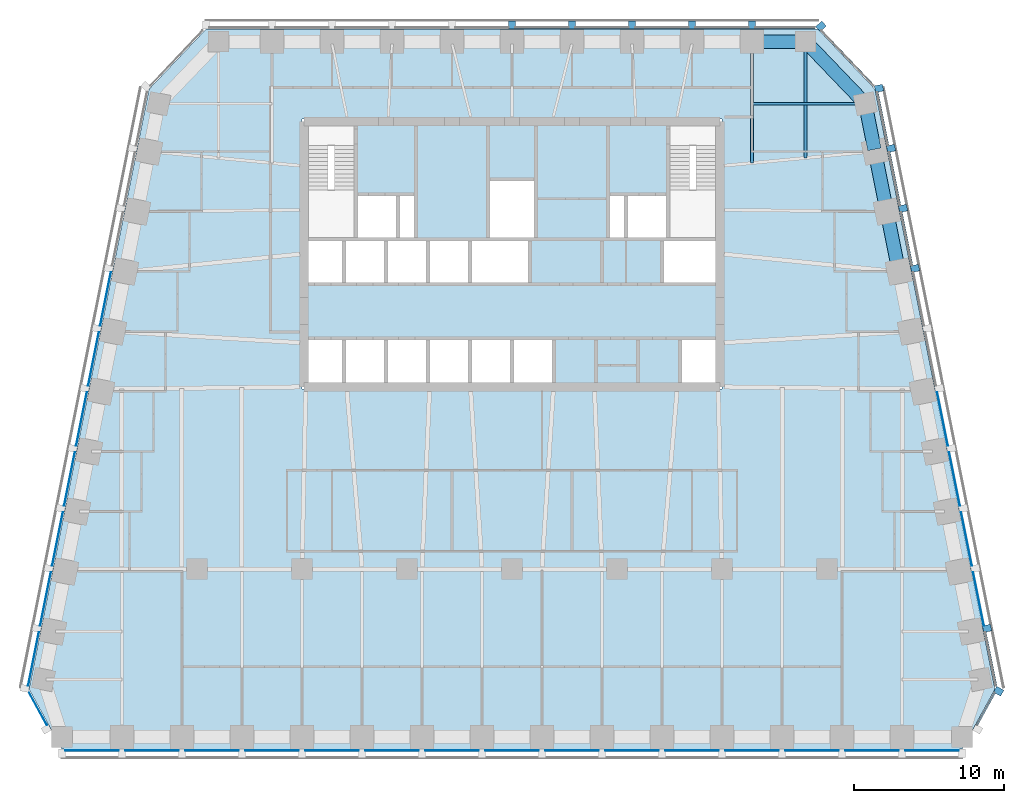
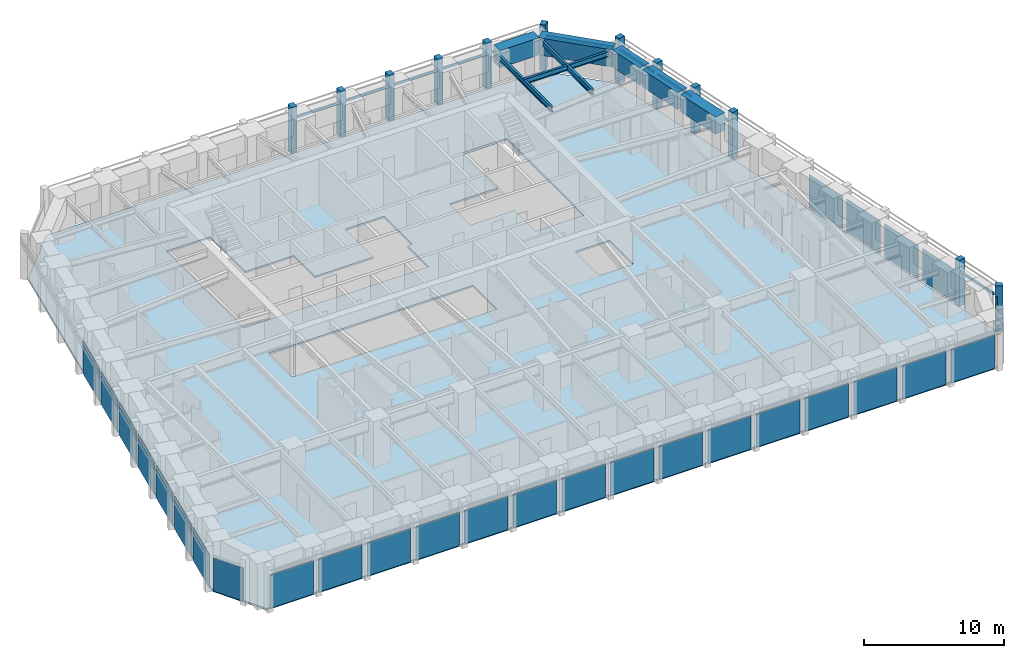
# One storey, part 4 of 11: 27 plates, 23 members, 8 beams, 1 slab, 7 elements without a shape of their own.
"""IFC4 building model written with IfcOpenShell, lengths in metres."""

from ifc_helpers import new_model, si_unit, direction, frame, origin, origin_2d, place, context, subcontext, project, spatial, polyline, rectangle, i_section, outline, extrude, material, layer, layer_set, material_profile, profile_set, type_object, element, aggregate, save


model = new_model("IFC4")

# Units and contexts
model_context = context("Model", 3, precision=1e-05, world=origin(), true_north=direction((0.0, 1.0)))
body_context = subcontext(model_context, "Body", "Model", "MODEL_VIEW")
ifc_project = project(units=[si_unit("LENGTHUNIT", "METRE"), si_unit("AREAUNIT", "SQUARE_METRE"), si_unit("VOLUMEUNIT", "CUBIC_METRE"), si_unit("PLANEANGLEUNIT", "RADIAN"), si_unit("MASSUNIT", "GRAM", prefix="KILO")], contexts=[model_context])

# Site, building, storey
site_placement = place(None, origin())
site = spatial("IfcSite", under=ifc_project, at=site_placement, CompositionType="ELEMENT")
building_placement = place(site_placement, origin())
building = spatial("IfcBuilding", under=site, at=building_placement, Name="Isbrekke Arena Tower", CompositionType="ELEMENT")
storey_placement = place(building_placement, frame((0.0, 0.0, 202.0)))
storey = spatial("IfcBuildingStorey", under=building, at=storey_placement, Name="L46", CompositionType="ELEMENT", Elevation=202.0)

# Beams
ifc_material_1 = material(Name="Steel S355", Category="steel")
ifc_material_profile_1 = material_profile(ifc_material_1, i_section(OverallWidth=0.18994140625, OverallDepth=0.449951171875, WebThickness=0.009521484375, FlangeThickness=0.0146484375, FilletRadius=0.02099609375, at=origin_2d()), Name="IPE 450")
ifc_profile_set_1 = profile_set([ifc_material_profile_1], Name="Steel S355")
beam_type_1 = type_object("IfcBeamType", Name="B2 IPE 450", PredefinedType="BEAM", material=ifc_profile_set_1)
beam_1_placement = place(storey_placement, frame((23.40283203125, 25.029296875, 3.625), z_axis=(-1.0, 0.0, 0.0), x_axis=(0.0, -1.0, 0.0)))
element("IfcBeam", 1, at=beam_1_placement, inside=storey, type_object=beam_type_1, Name="B2 beam E-E11 L46", PredefinedType="BEAM", context=body_context, shape_type="SweptSolid", body=[
    extrude(i_section(OverallWidth=0.18994140625, OverallDepth=0.449951171875, WebThickness=0.009521484375, FlangeThickness=0.0146484375, FilletRadius=0.02099609375, at=origin_2d()), origin(), (0.0, 0.0, 1.0), 7.40283203125),
])
ifc_material_2 = material(Name="Steel S355", Category="steel")
ifc_material_profile_2 = material_profile(ifc_material_2, i_section(OverallWidth=0.18994140625, OverallDepth=0.449951171875, WebThickness=0.009521484375, FlangeThickness=0.0146484375, FilletRadius=0.02099609375, at=origin_2d()), Name="IPE 450")
ifc_profile_set_2 = profile_set([ifc_material_profile_2], Name="Steel S355")
beam_type_2 = type_object("IfcBeamType", Name="B3 IPE 450", PredefinedType="BEAM", material=ifc_profile_set_2)
beam_2_placement = place(storey_placement, frame((19.574951171875, 29.02490234375, 3.625), z_axis=(0.0, -1.0, 0.0), x_axis=(1.0, 0.0, 0.0)))
element("IfcBeam", 2, at=beam_2_placement, inside=storey, type_object=beam_type_2, Name="B3 beam N-N01 L46", PredefinedType="BEAM", context=body_context, shape_type="SweptSolid", body=[
    extrude(i_section(OverallWidth=0.18994140625, OverallDepth=0.449951171875, WebThickness=0.009521484375, FlangeThickness=0.0146484375, FilletRadius=0.02099609375, at=origin_2d()), origin(), (0.0, 0.0, 1.0), 7.6103515625),
])
beam_3_placement = place(storey_placement, frame((16.0, 29.02490234375, 3.625), z_axis=(0.0, -1.0, 0.0), x_axis=(1.0, 0.0, 0.0)))
element("IfcBeam", 3, at=beam_3_placement, inside=storey, type_object=beam_type_2, Name="B3 beam N-N02 L46", PredefinedType="BEAM", context=body_context, shape_type="SweptSolid", body=[
    extrude(i_section(OverallWidth=0.18994140625, OverallDepth=0.449951171875, WebThickness=0.009521484375, FlangeThickness=0.0146484375, FilletRadius=0.02099609375, at=origin_2d()), origin(), (0.0, 0.0, 1.0), 7.949462890625),
])

# Curtain wall, member
ifc_material_3 = material(Name="Glazed aluminium curtain wall", Category="aluminium")
curtain_wall_type = type_object("IfcCurtainWallType", Name="CWH TOWER CURTAIN WALL HIGH ZONE", PredefinedType="USERDEFINED", material=ifc_material_3)
curtain_wall_1_placement = place(storey_placement, origin())
curtain_wall_1 = element("IfcCurtainWall", 4, at=curtain_wall_1_placement, inside=storey, type_object=curtain_wall_type, Name="CWH curtain wall L46-SE", ObjectType="TOWER CURTAIN WALL HIGH ZONE", PredefinedType="USERDEFINED")
ifc_material_4 = material(Name="Aluminium mullion, pale brick slip cladding", Category="masonry")
ifc_material_profile_3 = material_profile(ifc_material_4, rectangle(XDim=0.449951171875, YDim=0.550048828125, at=origin_2d()), Name="PIER 450X550")
ifc_profile_set_3 = profile_set([ifc_material_profile_3], Name="Aluminium mullion, pale brick slip cladding")
member_type_1 = type_object("IfcMemberType", Name="CWH-M PIER MULLION 450 x 550", PredefinedType="MULLION", material=ifc_profile_set_3)
member_1_placement = place(storey_placement, frame((32.44091796875, -14.132568359375, 0.0), z_axis=(0.0, 0.0, 1.0), x_axis=(0.481918749773, 0.876215908676, 0.0)))
member_1 = element("IfcMember", 5, at=member_1_placement, type_object=member_type_1, Name="CWH-M mullion 2", PredefinedType="MULLION", context=body_context, shape_type="SweptSolid", body=[
    extrude(rectangle(XDim=0.449951171875, YDim=0.550048828125, at=origin_2d()), origin(), (0.0, 0.0, 1.0), 4.0),
])

# Curtain wall, members
curtain_wall_2_placement = place(storey_placement, origin())
curtain_wall_2 = element("IfcCurtainWall", 6, at=curtain_wall_2_placement, inside=storey, type_object=curtain_wall_type, Name="CWH curtain wall L46-E", ObjectType="TOWER CURTAIN WALL HIGH ZONE", PredefinedType="USERDEFINED")
member_2_placement = place(storey_placement, frame((31.669677734375, -9.946044921875, 0.0), z_axis=(0.0, 0.0, 1.0), x_axis=(-0.196116135138, 0.980580675691, 0.0)))
member_2 = element("IfcMember", 7, at=member_2_placement, type_object=member_type_1, Name="CWH-M mullion 1", PredefinedType="MULLION", context=body_context, shape_type="SweptSolid", body=[
    extrude(rectangle(XDim=0.449951171875, YDim=0.550048828125, at=origin_2d()), origin(), (0.0, 0.0, 1.0), 4.0),
])
member_3_placement = place(storey_placement, frame((26.86962890625, 14.053955078125, 0.0), z_axis=(0.0, 0.0, 1.0), x_axis=(-0.196116135138, 0.980580675691, 0.0)))
member_3 = element("IfcMember", 8, at=member_3_placement, type_object=member_type_1, Name="CWH-M mullion 7", PredefinedType="MULLION", context=body_context, shape_type="SweptSolid", body=[
    extrude(rectangle(XDim=0.449951171875, YDim=0.550048828125, at=origin_2d()), origin(), (0.0, 0.0, 1.0), 4.0),
])
member_4_placement = place(storey_placement, frame((26.069580078125, 18.053955078125, 0.0), z_axis=(0.0, 0.0, 1.0), x_axis=(-0.196116135138, 0.980580675691, 0.0)))
member_4 = element("IfcMember", 9, at=member_4_placement, type_object=member_type_1, Name="CWH-M mullion 8", PredefinedType="MULLION", context=body_context, shape_type="SweptSolid", body=[
    extrude(rectangle(XDim=0.449951171875, YDim=0.550048828125, at=origin_2d()), origin(), (0.0, 0.0, 1.0), 4.0),
])
member_5_placement = place(storey_placement, frame((25.269775390625, 22.053955078125, 0.0), z_axis=(0.0, 0.0, 1.0), x_axis=(-0.196116135138, 0.980580675691, 0.0)))
member_5 = element("IfcMember", 10, at=member_5_placement, type_object=member_type_1, Name="CWH-M mullion 9", PredefinedType="MULLION", context=body_context, shape_type="SweptSolid", body=[
    extrude(rectangle(XDim=0.449951171875, YDim=0.550048828125, at=origin_2d()), origin(), (0.0, 0.0, 1.0), 4.0),
])
member_6_placement = place(storey_placement, frame((24.4697265625, 26.053955078125, 0.0), z_axis=(0.0, 0.0, 1.0), x_axis=(-0.196116135138, 0.980580675691, 0.0)))
member_6 = element("IfcMember", 11, at=member_6_placement, type_object=member_type_1, Name="CWH-M mullion 10", PredefinedType="MULLION", context=body_context, shape_type="SweptSolid", body=[
    extrude(rectangle(XDim=0.449951171875, YDim=0.550048828125, at=origin_2d()), origin(), (0.0, 0.0, 1.0), 4.0),
])

# Curtain wall, member
curtain_wall_3_placement = place(storey_placement, origin())
curtain_wall_3 = element("IfcCurtainWall", 12, at=curtain_wall_3_placement, inside=storey, type_object=curtain_wall_type, Name="CWH curtain wall L46-EN", ObjectType="TOWER CURTAIN WALL HIGH ZONE", PredefinedType="USERDEFINED")
member_7_placement = place(storey_placement, frame((20.599365234375, 30.189453125, 0.0), z_axis=(0.0, 0.0, 1.0), x_axis=(-0.68874946192, 0.72499943359, 0.0)))
member_7 = element("IfcMember", 13, at=member_7_placement, type_object=member_type_1, Name="CWH-M mullion 1", PredefinedType="MULLION", context=body_context, shape_type="SweptSolid", body=[
    extrude(rectangle(XDim=0.449951171875, YDim=0.550048828125, at=origin_2d()), origin(), (0.0, 0.0, 1.0), 4.0),
])

# Curtain wall, members
curtain_wall_4_placement = place(storey_placement, origin())
curtain_wall_4 = element("IfcCurtainWall", 14, at=curtain_wall_4_placement, inside=storey, type_object=curtain_wall_type, Name="CWH curtain wall L46-N", ObjectType="TOWER CURTAIN WALL HIGH ZONE", PredefinedType="USERDEFINED")
member_8_placement = place(storey_placement, frame((16.0, 30.27490234375, 0.0), z_axis=(0.0, 0.0, 1.0), x_axis=(-1.0, 0.0, 0.0)))
member_8 = element("IfcMember", 15, at=member_8_placement, type_object=member_type_1, Name="CWH-M mullion 1", PredefinedType="MULLION", context=body_context, shape_type="SweptSolid", body=[
    extrude(rectangle(XDim=0.449951171875, YDim=0.550048828125, at=origin_2d()), origin(), (0.0, 0.0, 1.0), 4.0),
])
member_9_placement = place(storey_placement, frame((12.0, 30.27490234375, 0.0), z_axis=(0.0, 0.0, 1.0), x_axis=(-1.0, 0.0, 0.0)))
member_9 = element("IfcMember", 16, at=member_9_placement, type_object=member_type_1, Name="CWH-M mullion 2", PredefinedType="MULLION", context=body_context, shape_type="SweptSolid", body=[
    extrude(rectangle(XDim=0.449951171875, YDim=0.550048828125, at=origin_2d()), origin(), (0.0, 0.0, 1.0), 4.0),
])
member_10_placement = place(storey_placement, frame((8.0, 30.27490234375, 0.0), z_axis=(0.0, 0.0, 1.0), x_axis=(-1.0, 0.0, 0.0)))
member_10 = element("IfcMember", 17, at=member_10_placement, type_object=member_type_1, Name="CWH-M mullion 3", PredefinedType="MULLION", context=body_context, shape_type="SweptSolid", body=[
    extrude(rectangle(XDim=0.449951171875, YDim=0.550048828125, at=origin_2d()), origin(), (0.0, 0.0, 1.0), 4.0),
])
member_11_placement = place(storey_placement, frame((4.0, 30.27490234375, 0.0), z_axis=(0.0, 0.0, 1.0), x_axis=(-1.0, 0.0, 0.0)))
member_11 = element("IfcMember", 18, at=member_11_placement, type_object=member_type_1, Name="CWH-M mullion 4", PredefinedType="MULLION", context=body_context, shape_type="SweptSolid", body=[
    extrude(rectangle(XDim=0.449951171875, YDim=0.550048828125, at=origin_2d()), origin(), (0.0, 0.0, 1.0), 4.0),
])
member_12_placement = place(storey_placement, frame((0.0, 30.27490234375, 0.0), z_axis=(0.0, 0.0, 1.0), x_axis=(-1.0, 0.0, 0.0)))
member_12 = element("IfcMember", 19, at=member_12_placement, type_object=member_type_1, Name="CWH-M mullion 5", PredefinedType="MULLION", context=body_context, shape_type="SweptSolid", body=[
    extrude(rectangle(XDim=0.449951171875, YDim=0.550048828125, at=origin_2d()), origin(), (0.0, 0.0, 1.0), 4.0),
])

# Member
ifc_material_5 = material(Name="Aluminium transom", Category="aluminium")
ifc_material_profile_4 = material_profile(ifc_material_5, rectangle(XDim=0.1201171875, YDim=0.199951171875, at=origin_2d()), Name="TRANSOM 120X200")
ifc_profile_set_4 = profile_set([ifc_material_profile_4], Name="Aluminium transom")
member_type_2 = type_object("IfcMemberType", Name="CWH-T TRANSOM 120 x 200", PredefinedType="USERDEFINED", material=ifc_profile_set_4)
member_13_placement = place(storey_placement, frame((31.002197265625, -16.38525390625, 3.0), z_axis=(0.481937937062, 0.876205355393, 0.0), x_axis=(-0.876205355393, 0.481937937062, 0.0)))
member_13 = element("IfcMember", 20, at=member_13_placement, type_object=member_type_2, Name="CWH-T transom 1", ObjectType="TRANSOM", PredefinedType="USERDEFINED", context=body_context, shape_type="SweptSolid", body=[
    extrude(rectangle(XDim=0.1201171875, YDim=0.199951171875, at=origin_2d()), origin(), (0.0, 0.0, 1.0), 2.442138671875),
])

aggregate(curtain_wall_1, [member_1, member_13])

member_14_placement = place(storey_placement, frame((32.25390625, -13.759765625, 3.0), z_axis=(-0.196090262229, 0.980585849918, 0.0), x_axis=(-0.980585849918, -0.196090262229, 0.0)))
member_14 = element("IfcMember", 21, at=member_14_placement, type_object=member_type_2, Name="CWH-T transom 1", ObjectType="TRANSOM", PredefinedType="USERDEFINED", context=body_context, shape_type="SweptSolid", body=[
    extrude(rectangle(XDim=0.1201171875, YDim=0.199951171875, at=origin_2d()), origin(), (0.0, 0.0, 1.0), 3.62939453125),
])

member_15_placement = place(storey_placement, frame((26.654052734375, 14.240234375, 3.0), z_axis=(-0.196154943734, 0.980572913173, 0.0), x_axis=(-0.980572913173, -0.196154943734, 0.0)))
member_15 = element("IfcMember", 22, at=member_15_placement, type_object=member_type_2, Name="CWH-T transom 8", ObjectType="TRANSOM", PredefinedType="USERDEFINED", context=body_context, shape_type="SweptSolid", body=[
    extrude(rectangle(XDim=0.1201171875, YDim=0.199951171875, at=origin_2d()), origin(), (0.0, 0.0, 1.0), 3.62939453125),
])

member_16_placement = place(storey_placement, frame((25.85400390625, 18.240234375, 3.0), z_axis=(-0.196154943734, 0.980572913173, 0.0), x_axis=(-0.980572913173, -0.196154943734, 0.0)))
member_16 = element("IfcMember", 23, at=member_16_placement, type_object=member_type_2, Name="CWH-T transom 9", ObjectType="TRANSOM", PredefinedType="USERDEFINED", context=body_context, shape_type="SweptSolid", body=[
    extrude(rectangle(XDim=0.1201171875, YDim=0.199951171875, at=origin_2d()), origin(), (0.0, 0.0, 1.0), 3.62939453125),
])

member_17_placement = place(storey_placement, frame((25.053955078125, 22.240234375, 3.0), z_axis=(-0.196090262229, 0.980585849918, 0.0), x_axis=(-0.980585849918, -0.196090262229, 0.0)))
member_17 = element("IfcMember", 24, at=member_17_placement, type_object=member_type_2, Name="CWH-T transom 10", ObjectType="TRANSOM", PredefinedType="USERDEFINED", context=body_context, shape_type="SweptSolid", body=[
    extrude(rectangle(XDim=0.1201171875, YDim=0.199951171875, at=origin_2d()), origin(), (0.0, 0.0, 1.0), 3.62939453125),
])

member_18_placement = place(storey_placement, frame((24.117431640625, 26.23193359375, 3.0), z_axis=(-0.688734266994, 0.725013868466, 0.0), x_axis=(-0.725013868466, -0.688734266994, 0.0)))
member_18 = element("IfcMember", 25, at=member_18_placement, type_object=member_type_2, Name="CWH-T transom 1", ObjectType="TRANSOM", PredefinedType="USERDEFINED", context=body_context, shape_type="SweptSolid", body=[
    extrude(rectangle(XDim=0.1201171875, YDim=0.199951171875, at=origin_2d()), origin(), (0.0, 0.0, 1.0), 5.067138671875),
])

aggregate(curtain_wall_3, [member_7, member_18])

member_19_placement = place(storey_placement, frame((20.175048828125, 30.10009765625, 3.0), z_axis=(-1.0, 0.0, 0.0), x_axis=(0.0, -1.0, 0.0)))
member_19 = element("IfcMember", 26, at=member_19_placement, type_object=member_type_2, Name="CWH-T transom 1", ObjectType="TRANSOM", PredefinedType="USERDEFINED", context=body_context, shape_type="SweptSolid", body=[
    extrude(rectangle(XDim=0.1201171875, YDim=0.199951171875, at=origin_2d()), origin(), (0.0, 0.0, 1.0), 3.949951171875),
])

member_20_placement = place(storey_placement, frame((15.77490234375, 30.10009765625, 3.0), z_axis=(-1.0, 0.0, 0.0), x_axis=(0.0, -1.0, 0.0)))
member_20 = element("IfcMember", 27, at=member_20_placement, type_object=member_type_2, Name="CWH-T transom 2", ObjectType="TRANSOM", PredefinedType="USERDEFINED", context=body_context, shape_type="SweptSolid", body=[
    extrude(rectangle(XDim=0.1201171875, YDim=0.199951171875, at=origin_2d()), origin(), (0.0, 0.0, 1.0), 3.5498046875),
])

member_21_placement = place(storey_placement, frame((11.77490234375, 30.10009765625, 3.0), z_axis=(-1.0, 0.0, 0.0), x_axis=(0.0, -1.0, 0.0)))
member_21 = element("IfcMember", 28, at=member_21_placement, type_object=member_type_2, Name="CWH-T transom 3", ObjectType="TRANSOM", PredefinedType="USERDEFINED", context=body_context, shape_type="SweptSolid", body=[
    extrude(rectangle(XDim=0.1201171875, YDim=0.199951171875, at=origin_2d()), origin(), (0.0, 0.0, 1.0), 3.5498046875),
])

member_22_placement = place(storey_placement, frame((7.77490234375, 30.10009765625, 3.0), z_axis=(-1.0, 0.0, 0.0), x_axis=(0.0, -1.0, 0.0)))
member_22 = element("IfcMember", 29, at=member_22_placement, type_object=member_type_2, Name="CWH-T transom 4", ObjectType="TRANSOM", PredefinedType="USERDEFINED", context=body_context, shape_type="SweptSolid", body=[
    extrude(rectangle(XDim=0.1201171875, YDim=0.199951171875, at=origin_2d()), origin(), (0.0, 0.0, 1.0), 3.5498046875),
])

member_23_placement = place(storey_placement, frame((3.77490234375, 30.10009765625, 3.0), z_axis=(-1.0, 0.0, 0.0), x_axis=(0.0, -1.0, 0.0)))
member_23 = element("IfcMember", 30, at=member_23_placement, type_object=member_type_2, Name="CWH-T transom 5", ObjectType="TRANSOM", PredefinedType="USERDEFINED", context=body_context, shape_type="SweptSolid", body=[
    extrude(rectangle(XDim=0.1201171875, YDim=0.199951171875, at=origin_2d()), origin(), (0.0, 0.0, 1.0), 3.5498046875),
])

aggregate(curtain_wall_4, [member_8, member_9, member_10, member_11, member_12, member_19, member_20, member_21, member_22, member_23])

# Beams
ifc_material_6 = material(Name="Concrete B65 (C65/80)", Category="concrete")
ifc_material_profile_5 = material_profile(ifc_material_6, rectangle(XDim=0.89990234375, YDim=1.5, at=origin_2d()), Name="RC 900x1500")
ifc_profile_set_5 = profile_set([ifc_material_profile_5], Name="Concrete B65 (C65/80)")
beam_type_3 = type_object("IfcBeamType", Name="SB3 RC 900 x 1500", PredefinedType="SPANDREL", material=ifc_profile_set_5)
for number, where, z_axis, x_axis, name in (
    (31, (25.76171875, 13.9853515625, 3.25), (-0.196128558387, 0.980578190959, 0.0), (-0.980578190959, -0.196128558387, 0.0), "SB3 spandrel E08-E09 L46"),
    (32, (24.961669921875, 17.9853515625, 3.25), (-0.196128558387, 0.980578190959, 0.0), (-0.980578190959, -0.196128558387, 0.0), "SB3 spandrel E09-E10 L46"),
):
    element("IfcBeam", number, at=place(storey_placement, frame(where, z_axis=z_axis, x_axis=x_axis)), inside=storey, type_object=beam_type_3, Name=name, PredefinedType="SPANDREL", context=body_context, shape_type="SweptSolid", body=[
        extrude(rectangle(XDim=0.89990234375, YDim=1.5, at=origin_2d()), origin(), (0.0, 0.0, 1.0), 3.779296875),
    ])
beam_4_placement = place(storey_placement, frame((24.16162109375, 21.9853515625, 3.25), z_axis=(-0.196116135138, 0.980580675691, 0.0), x_axis=(-0.980580675691, -0.196116135138, 0.0)))
element("IfcBeam", 33, at=beam_4_placement, inside=storey, type_object=beam_type_3, Name="SB3 spandrel E10-E11 L46", PredefinedType="SPANDREL", context=body_context, shape_type="SweptSolid", body=[
    extrude(rectangle(XDim=0.89990234375, YDim=1.5, at=origin_2d()), origin(), (0.0, 0.0, 1.0), 2.9541015625),
])
beam_5_placement = place(storey_placement, frame((23.448974609375, 25.137451171875, 3.25), z_axis=(-0.692339547635, 0.721571861134, 0.0), x_axis=(-0.721571861134, -0.692339547635, 0.0)))
element("IfcBeam", 34, at=beam_5_placement, inside=storey, type_object=beam_type_3, Name="SB3 spandrel E11-N01 L46", PredefinedType="SPANDREL", context=body_context, shape_type="SweptSolid", body=[
    extrude(rectangle(XDim=0.89990234375, YDim=1.5, at=origin_2d()), origin(), (0.0, 0.0, 1.0), 5.4453125),
])
beam_6_placement = place(storey_placement, frame((19.425048828125, 29.175048828125, 3.25), z_axis=(-1.0, 0.0, 0.0), x_axis=(0.0, -1.0, 0.0)))
element("IfcBeam", 35, at=beam_6_placement, inside=storey, type_object=beam_type_3, Name="SB3 spandrel N01-N02 L46", PredefinedType="SPANDREL", context=body_context, shape_type="SweptSolid", body=[
    extrude(rectangle(XDim=0.89990234375, YDim=1.5, at=origin_2d()), origin(), (0.0, 0.0, 1.0), 3.275146484375),
])

# Curtain wall, plates
curtain_wall_5_placement = place(storey_placement, origin())
curtain_wall_5 = element("IfcCurtainWall", 36, at=curtain_wall_5_placement, inside=storey, type_object=curtain_wall_type, Name="CWH curtain wall L46-S", ObjectType="TOWER CURTAIN WALL HIGH ZONE", PredefinedType="USERDEFINED")
ifc_material_7 = material(Name="Triple-glazed clear glass unit", Category="glass")
ifc_layer_1 = layer(ifc_material_7, 0.031982421875)
ifc_layer_set_1 = layer_set([ifc_layer_1], Name="CWH-P VISION PANEL")
plate_type = type_object("IfcPlateType", Name="CWH-P VISION PANEL", PredefinedType="CURTAIN_PANEL", material=ifc_layer_set_1)
plate_1_placement = place(storey_placement, frame((-28.0, -18.10009765625, 0.02001953125), z_axis=(0.0, 0.0, 1.0), x_axis=(1.0, 0.0, 0.0)))
plate_1 = element("IfcPlate", 37, at=plate_1_placement, type_object=plate_type, Name="CWH-P panel 1", PredefinedType="CURTAIN_PANEL", context=body_context, shape_type="SweptSolid", body=[
    extrude(rectangle(XDim=3.550048828125, YDim=0.031982421875, at=origin_2d()), origin(), (0.0, 0.0, 1.0), 2.8798828125),
])
plate_2_placement = place(storey_placement, frame((-24.0, -18.10009765625, 0.02001953125), z_axis=(0.0, 0.0, 1.0), x_axis=(1.0, 0.0, 0.0)))
plate_2 = element("IfcPlate", 38, at=plate_2_placement, type_object=plate_type, Name="CWH-P panel 2", PredefinedType="CURTAIN_PANEL", context=body_context, shape_type="SweptSolid", body=[
    extrude(rectangle(XDim=3.550048828125, YDim=0.031982421875, at=origin_2d()), origin(), (0.0, 0.0, 1.0), 2.8798828125),
])
plate_3_placement = place(storey_placement, frame((-20.0, -18.10009765625, 0.02001953125), z_axis=(0.0, 0.0, 1.0), x_axis=(1.0, 0.0, 0.0)))
plate_3 = element("IfcPlate", 39, at=plate_3_placement, type_object=plate_type, Name="CWH-P panel 3", PredefinedType="CURTAIN_PANEL", context=body_context, shape_type="SweptSolid", body=[
    extrude(rectangle(XDim=3.550048828125, YDim=0.031982421875, at=origin_2d()), origin(), (0.0, 0.0, 1.0), 2.8798828125),
])
plate_4_placement = place(storey_placement, frame((-16.0, -18.10009765625, 0.02001953125), z_axis=(0.0, 0.0, 1.0), x_axis=(1.0, 0.0, 0.0)))
plate_4 = element("IfcPlate", 40, at=plate_4_placement, type_object=plate_type, Name="CWH-P panel 4", PredefinedType="CURTAIN_PANEL", context=body_context, shape_type="SweptSolid", body=[
    extrude(rectangle(XDim=3.550048828125, YDim=0.031982421875, at=origin_2d()), origin(), (0.0, 0.0, 1.0), 2.8798828125),
])
plate_5_placement = place(storey_placement, frame((-12.0, -18.10009765625, 0.02001953125), z_axis=(0.0, 0.0, 1.0), x_axis=(1.0, 0.0, 0.0)))
plate_5 = element("IfcPlate", 41, at=plate_5_placement, type_object=plate_type, Name="CWH-P panel 5", PredefinedType="CURTAIN_PANEL", context=body_context, shape_type="SweptSolid", body=[
    extrude(rectangle(XDim=3.550048828125, YDim=0.031982421875, at=origin_2d()), origin(), (0.0, 0.0, 1.0), 2.8798828125),
])
plate_6_placement = place(storey_placement, frame((-8.0, -18.10009765625, 0.02001953125), z_axis=(0.0, 0.0, 1.0), x_axis=(1.0, 0.0, 0.0)))
plate_6 = element("IfcPlate", 42, at=plate_6_placement, type_object=plate_type, Name="CWH-P panel 6", PredefinedType="CURTAIN_PANEL", context=body_context, shape_type="SweptSolid", body=[
    extrude(rectangle(XDim=3.550048828125, YDim=0.031982421875, at=origin_2d()), origin(), (0.0, 0.0, 1.0), 2.8798828125),
])
plate_7_placement = place(storey_placement, frame((-4.0, -18.10009765625, 0.02001953125), z_axis=(0.0, 0.0, 1.0), x_axis=(1.0, 0.0, 0.0)))
plate_7 = element("IfcPlate", 43, at=plate_7_placement, type_object=plate_type, Name="CWH-P panel 7", PredefinedType="CURTAIN_PANEL", context=body_context, shape_type="SweptSolid", body=[
    extrude(rectangle(XDim=3.550048828125, YDim=0.031982421875, at=origin_2d()), origin(), (0.0, 0.0, 1.0), 2.8798828125),
])
plate_8_placement = place(storey_placement, frame((0.0, -18.10009765625, 0.02001953125), z_axis=(0.0, 0.0, 1.0), x_axis=(1.0, 0.0, 0.0)))
plate_8 = element("IfcPlate", 44, at=plate_8_placement, type_object=plate_type, Name="CWH-P panel 8", PredefinedType="CURTAIN_PANEL", context=body_context, shape_type="SweptSolid", body=[
    extrude(rectangle(XDim=3.550048828125, YDim=0.031982421875, at=origin_2d()), origin(), (0.0, 0.0, 1.0), 2.8798828125),
])
plate_9_placement = place(storey_placement, frame((4.0, -18.10009765625, 0.02001953125), z_axis=(0.0, 0.0, 1.0), x_axis=(1.0, 0.0, 0.0)))
plate_9 = element("IfcPlate", 45, at=plate_9_placement, type_object=plate_type, Name="CWH-P panel 9", PredefinedType="CURTAIN_PANEL", context=body_context, shape_type="SweptSolid", body=[
    extrude(rectangle(XDim=3.550048828125, YDim=0.031982421875, at=origin_2d()), origin(), (0.0, 0.0, 1.0), 2.8798828125),
])
plate_10_placement = place(storey_placement, frame((8.0, -18.10009765625, 0.02001953125), z_axis=(0.0, 0.0, 1.0), x_axis=(1.0, 0.0, 0.0)))
plate_10 = element("IfcPlate", 46, at=plate_10_placement, type_object=plate_type, Name="CWH-P panel 10", PredefinedType="CURTAIN_PANEL", context=body_context, shape_type="SweptSolid", body=[
    extrude(rectangle(XDim=3.550048828125, YDim=0.031982421875, at=origin_2d()), origin(), (0.0, 0.0, 1.0), 2.8798828125),
])
plate_11_placement = place(storey_placement, frame((12.0, -18.10009765625, 0.02001953125), z_axis=(0.0, 0.0, 1.0), x_axis=(1.0, 0.0, 0.0)))
plate_11 = element("IfcPlate", 47, at=plate_11_placement, type_object=plate_type, Name="CWH-P panel 11", PredefinedType="CURTAIN_PANEL", context=body_context, shape_type="SweptSolid", body=[
    extrude(rectangle(XDim=3.550048828125, YDim=0.031982421875, at=origin_2d()), origin(), (0.0, 0.0, 1.0), 2.8798828125),
])
plate_12_placement = place(storey_placement, frame((16.0, -18.10009765625, 0.02001953125), z_axis=(0.0, 0.0, 1.0), x_axis=(1.0, 0.0, 0.0)))
plate_12 = element("IfcPlate", 48, at=plate_12_placement, type_object=plate_type, Name="CWH-P panel 12", PredefinedType="CURTAIN_PANEL", context=body_context, shape_type="SweptSolid", body=[
    extrude(rectangle(XDim=3.550048828125, YDim=0.031982421875, at=origin_2d()), origin(), (0.0, 0.0, 1.0), 2.8798828125),
])
plate_13_placement = place(storey_placement, frame((20.0, -18.10009765625, 0.02001953125), z_axis=(0.0, 0.0, 1.0), x_axis=(1.0, 0.0, 0.0)))
plate_13 = element("IfcPlate", 49, at=plate_13_placement, type_object=plate_type, Name="CWH-P panel 13", PredefinedType="CURTAIN_PANEL", context=body_context, shape_type="SweptSolid", body=[
    extrude(rectangle(XDim=3.550048828125, YDim=0.031982421875, at=origin_2d()), origin(), (0.0, 0.0, 1.0), 2.8798828125),
])
plate_14_placement = place(storey_placement, frame((24.0, -18.10009765625, 0.02001953125), z_axis=(0.0, 0.0, 1.0), x_axis=(1.0, 0.0, 0.0)))
plate_14 = element("IfcPlate", 50, at=plate_14_placement, type_object=plate_type, Name="CWH-P panel 14", PredefinedType="CURTAIN_PANEL", context=body_context, shape_type="SweptSolid", body=[
    extrude(rectangle(XDim=3.550048828125, YDim=0.031982421875, at=origin_2d()), origin(), (0.0, 0.0, 1.0), 2.8798828125),
])
plate_15_placement = place(storey_placement, frame((28.0, -18.10009765625, 0.02001953125), z_axis=(0.0, 0.0, 1.0), x_axis=(1.0, 0.0, 0.0)))
plate_15 = element("IfcPlate", 51, at=plate_15_placement, type_object=plate_type, Name="CWH-P panel 15", PredefinedType="CURTAIN_PANEL", context=body_context, shape_type="SweptSolid", body=[
    extrude(rectangle(XDim=3.550048828125, YDim=0.031982421875, at=origin_2d()), origin(), (0.0, 0.0, 1.0), 2.8798828125),
])
aggregate(curtain_wall_5, [plate_1, plate_2, plate_3, plate_4, plate_5, plate_6, plate_7, plate_8, plate_9, plate_10, plate_11, plate_12, plate_13, plate_14, plate_15])

# Plate
plate_16_placement = place(storey_placement, frame((31.09814453125, -7.98046875, 0.02001953125), z_axis=(0.0, 0.0, 1.0), x_axis=(-0.196116135138, 0.980580675691, 0.0)))
plate_16 = element("IfcPlate", 52, at=plate_16_placement, type_object=plate_type, Name="CWH-P panel 2", PredefinedType="CURTAIN_PANEL", context=body_context, shape_type="SweptSolid", body=[
    extrude(rectangle(XDim=3.629150390625, YDim=0.031982421875, at=origin_2d()), origin(), (0.0, 0.0, 1.0), 2.8798828125),
])

plate_17_placement = place(storey_placement, frame((30.298095703125, -3.98046875, 0.02001953125), z_axis=(0.0, 0.0, 1.0), x_axis=(-0.196116135138, 0.980580675691, 0.0)))
plate_17 = element("IfcPlate", 53, at=plate_17_placement, type_object=plate_type, Name="CWH-P panel 3", PredefinedType="CURTAIN_PANEL", context=body_context, shape_type="SweptSolid", body=[
    extrude(rectangle(XDim=3.629150390625, YDim=0.031982421875, at=origin_2d()), origin(), (0.0, 0.0, 1.0), 2.8798828125),
])

plate_18_placement = place(storey_placement, frame((29.498046875, 0.01953125, 0.02001953125), z_axis=(0.0, 0.0, 1.0), x_axis=(-0.196116135138, 0.980580675691, 0.0)))
plate_18 = element("IfcPlate", 54, at=plate_18_placement, type_object=plate_type, Name="CWH-P panel 4", PredefinedType="CURTAIN_PANEL", context=body_context, shape_type="SweptSolid", body=[
    extrude(rectangle(XDim=3.629150390625, YDim=0.031982421875, at=origin_2d()), origin(), (0.0, 0.0, 1.0), 2.8798828125),
])

plate_19_placement = place(storey_placement, frame((28.697998046875, 4.01953125, 0.02001953125), z_axis=(0.0, 0.0, 1.0), x_axis=(-0.196116135138, 0.980580675691, 0.0)))
plate_19 = element("IfcPlate", 55, at=plate_19_placement, type_object=plate_type, Name="CWH-P panel 5", PredefinedType="CURTAIN_PANEL", context=body_context, shape_type="SweptSolid", body=[
    extrude(rectangle(XDim=3.629150390625, YDim=0.031982421875, at=origin_2d()), origin(), (0.0, 0.0, 1.0), 2.8798828125),
])

aggregate(curtain_wall_2, [member_2, member_3, member_4, member_5, member_6, member_14, plate_16, plate_17, plate_18, plate_19, member_15, member_16, member_17])

# Curtain wall, plates
curtain_wall_6_placement = place(storey_placement, origin())
curtain_wall_6 = element("IfcCurtainWall", 56, at=curtain_wall_6_placement, inside=storey, type_object=curtain_wall_type, Name="CWH curtain wall L46-W", ObjectType="TOWER CURTAIN WALL HIGH ZONE", PredefinedType="USERDEFINED")
plate_20_placement = place(storey_placement, frame((-27.09814453125, 12.01953125, 0.02001953125), z_axis=(0.0, 0.0, 1.0), x_axis=(-0.196116135138, -0.980580675691, 0.0)))
plate_20 = element("IfcPlate", 57, at=plate_20_placement, type_object=plate_type, Name="CWH-P panel 4", PredefinedType="CURTAIN_PANEL", context=body_context, shape_type="SweptSolid", body=[
    extrude(rectangle(XDim=3.629150390625, YDim=0.031982421875, at=origin_2d()), origin(), (0.0, 0.0, 1.0), 2.8798828125),
])
plate_21_placement = place(storey_placement, frame((-27.89794921875, 8.01953125, 0.02001953125), z_axis=(0.0, 0.0, 1.0), x_axis=(-0.196116135138, -0.980580675691, 0.0)))
plate_21 = element("IfcPlate", 58, at=plate_21_placement, type_object=plate_type, Name="CWH-P panel 5", PredefinedType="CURTAIN_PANEL", context=body_context, shape_type="SweptSolid", body=[
    extrude(rectangle(XDim=3.629150390625, YDim=0.031982421875, at=origin_2d()), origin(), (0.0, 0.0, 1.0), 2.8798828125),
])
plate_22_placement = place(storey_placement, frame((-28.697998046875, 4.01953125, 0.02001953125), z_axis=(0.0, 0.0, 1.0), x_axis=(-0.196116135138, -0.980580675691, 0.0)))
plate_22 = element("IfcPlate", 59, at=plate_22_placement, type_object=plate_type, Name="CWH-P panel 6", PredefinedType="CURTAIN_PANEL", context=body_context, shape_type="SweptSolid", body=[
    extrude(rectangle(XDim=3.629150390625, YDim=0.031982421875, at=origin_2d()), origin(), (0.0, 0.0, 1.0), 2.8798828125),
])
plate_23_placement = place(storey_placement, frame((-29.498046875, 0.01953125, 0.02001953125), z_axis=(0.0, 0.0, 1.0), x_axis=(-0.196116135138, -0.980580675691, 0.0)))
plate_23 = element("IfcPlate", 60, at=plate_23_placement, type_object=plate_type, Name="CWH-P panel 7", PredefinedType="CURTAIN_PANEL", context=body_context, shape_type="SweptSolid", body=[
    extrude(rectangle(XDim=3.629150390625, YDim=0.031982421875, at=origin_2d()), origin(), (0.0, 0.0, 1.0), 2.8798828125),
])
plate_24_placement = place(storey_placement, frame((-30.298095703125, -3.98046875, 0.02001953125), z_axis=(0.0, 0.0, 1.0), x_axis=(-0.196116135138, -0.980580675691, 0.0)))
plate_24 = element("IfcPlate", 61, at=plate_24_placement, type_object=plate_type, Name="CWH-P panel 8", PredefinedType="CURTAIN_PANEL", context=body_context, shape_type="SweptSolid", body=[
    extrude(rectangle(XDim=3.629150390625, YDim=0.031982421875, at=origin_2d()), origin(), (0.0, 0.0, 1.0), 2.8798828125),
])
plate_25_placement = place(storey_placement, frame((-31.09814453125, -7.98046875, 0.02001953125), z_axis=(0.0, 0.0, 1.0), x_axis=(-0.196116135138, -0.980580675691, 0.0)))
plate_25 = element("IfcPlate", 62, at=plate_25_placement, type_object=plate_type, Name="CWH-P panel 9", PredefinedType="CURTAIN_PANEL", context=body_context, shape_type="SweptSolid", body=[
    extrude(rectangle(XDim=3.629150390625, YDim=0.031982421875, at=origin_2d()), origin(), (0.0, 0.0, 1.0), 2.8798828125),
])
plate_26_placement = place(storey_placement, frame((-31.89794921875, -11.98046875, 0.02001953125), z_axis=(0.0, 0.0, 1.0), x_axis=(-0.196116135138, -0.980580675691, 0.0)))
plate_26 = element("IfcPlate", 63, at=plate_26_placement, type_object=plate_type, Name="CWH-P panel 10", PredefinedType="CURTAIN_PANEL", context=body_context, shape_type="SweptSolid", body=[
    extrude(rectangle(XDim=3.629150390625, YDim=0.031982421875, at=origin_2d()), origin(), (0.0, 0.0, 1.0), 2.8798828125),
])
aggregate(curtain_wall_6, [plate_20, plate_21, plate_22, plate_23, plate_24, plate_25, plate_26])

# Curtain wall, plate
curtain_wall_7_placement = place(storey_placement, origin())
curtain_wall_7 = element("IfcCurtainWall", 64, at=curtain_wall_7_placement, inside=storey, type_object=curtain_wall_type, Name="CWH curtain wall L46-WS", ObjectType="TOWER CURTAIN WALL HIGH ZONE", PredefinedType="USERDEFINED")
plate_27_placement = place(storey_placement, frame((-31.59033203125, -15.31591796875, 0.02001953125), z_axis=(0.0, 0.0, 1.0), x_axis=(0.481918749773, -0.876215908676, 0.0)))
plate_27 = element("IfcPlate", 65, at=plate_27_placement, type_object=plate_type, Name="CWH-P panel 1", PredefinedType="CURTAIN_PANEL", context=body_context, shape_type="SweptSolid", body=[
    extrude(rectangle(XDim=2.443603515625, YDim=0.031982421875, at=origin_2d()), origin(), (0.0, 0.0, 1.0), 2.8798828125),
])
aggregate(curtain_wall_7, [plate_27])

# Slab
ifc_material_8 = material(Name="Concrete B35 (C35/45)", Category="concrete")
ifc_layer_2 = layer(ifc_material_8, 0.14990234375)
ifc_layer_set_2 = layer_set([ifc_layer_2], Name="FS1 COMPOSITE FLOOR 150")
slab_type = type_object("IfcSlabType", Name="FS1 COMPOSITE FLOOR 150", PredefinedType="FLOOR", material=ifc_layer_set_2)
slab_placement = place(storey_placement, frame((0.0, 0.0, -0.14990234375)))
element("IfcSlab", 66, at=slab_placement, inside=storey, type_object=slab_type, Name="FS1 floor slab L46", PredefinedType="FLOOR", context=body_context, shape_type="SweptSolid", body=[
    extrude(outline(polyline([(-30.0, -18.0), (30.0, -18.0), (32.199951171875, -14.0), (24.199951171875, 26.0), (20.39990234375, 30.0), (-20.39990234375, 30.0), (-24.199951171875, 26.0), (-32.199951171875, -14.0), (-30.0, -18.0)]), holes=[polyline([(2.800048828125, 9.39990234375), (2.800048828125, 6.0), (-14.0, 6.0), (-14.0, 9.39990234375), (2.800048828125, 9.39990234375)]), polyline([(11.199951171875, 6.0), (11.199951171875, 9.39990234375), (14.0, 9.39990234375), (14.0, 6.0), (11.199951171875, 6.0)]), polyline([(-14.0, 13.0), (-14.0, 24.0), (-10.39990234375, 24.0), (-10.39990234375, 19.0), (-6.39990234375, 19.0), (-6.39990234375, 16.0), (-1.60009765625, 16.0), (-1.60009765625, 20.0), (1.60009765625, 20.0), (1.60009765625, 16.0), (1.199951171875, 16.0), (1.199951171875, 13.0), (-14.0, 13.0)]), polyline([(10.0, 13.0), (10.0, 16.0), (6.39990234375, 16.0), (6.39990234375, 19.0), (10.39990234375, 19.0), (10.39990234375, 24.0), (14.0, 24.0), (14.0, 13.0), (10.0, 13.0)])]), origin(), (0.0, 0.0, 1.0), 0.14990234375),
])

save(model, "model.ifc")
